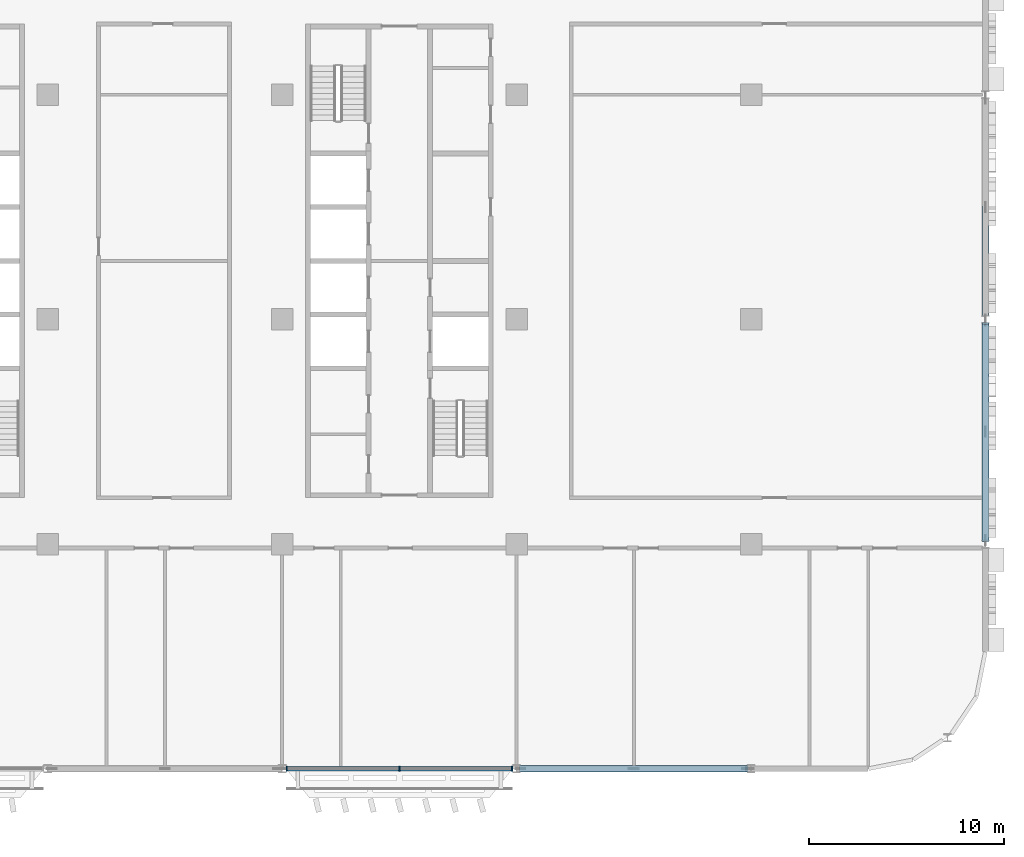
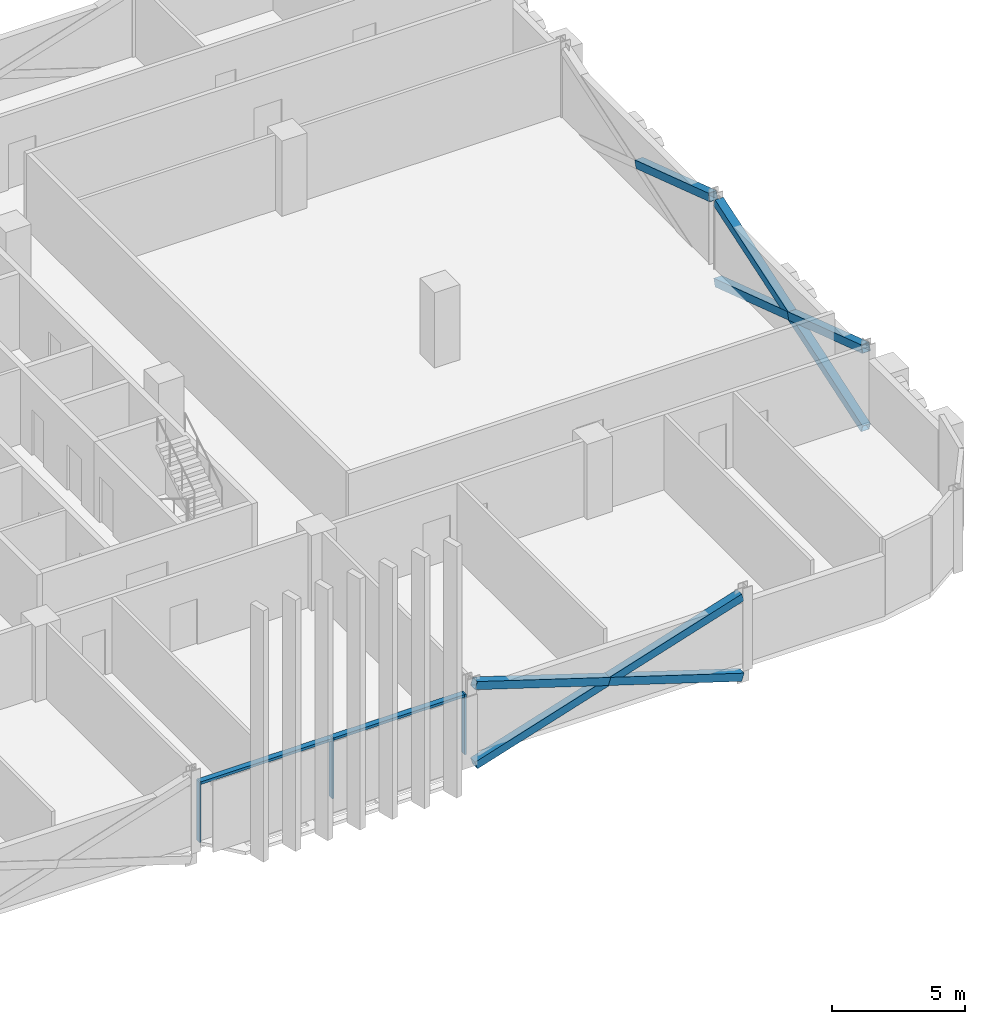
# One storey, part 6 of 28: 12 members, 1 element without a shape of its own.
"""IFC4 building model written with IfcOpenShell, lengths in metres."""

import ifcopenshell
import ifcopenshell.guid

model = None  # the IFC model being written
_history = None  # IfcOwnerHistory: only IFC2X3 demands one
_inside = {}  # id of a spatial element -> (the spatial element, [elements in it])
_under = {}  # id of a project, library or spatial element -> (it, [spatial elements below it])
_declared = {}  # id of a project -> (the project, [libraries it declares])
_typed = {}  # id of a type object -> (the type object, [elements of that type])
_made_of = {}  # id of a material, layer set ... -> (it, [elements and type objects made of it])


def new_model(schema):
    """Start an empty IFC model of exactly this schema.

    Asked for "IFC4X3", IfcOpenShell would pick the latest addendum, in which some entities
    have other attributes; the version numbers below select the first issue.
    IFC2X3 requires an IfcOwnerHistory on every rooted entity: one is made here for all.
    """
    global model, _history
    if schema == "IFC4X3":
        model = ifcopenshell.file(schema_version=(4, 3, 0, 0))
    else:
        model = ifcopenshell.file(schema=schema)
    _inside.clear()
    _under.clear()
    _declared.clear()
    _typed.clear()
    _made_of.clear()
    _history = None
    if model.schema == "IFC2X3":
        org = make("IfcOrganization", Name="unknown")
        user = make(
            "IfcPersonAndOrganization",
            ThePerson=make("IfcPerson", FamilyName="unknown"),
            TheOrganization=org,
        )
        app = make(
            "IfcApplication",
            ApplicationDeveloper=org,
            Version="unknown",
            ApplicationFullName="unknown",
            ApplicationIdentifier="unknown",
        )
        _history = make(
            "IfcOwnerHistory",
            OwningUser=user,
            OwningApplication=app,
            ChangeAction="ADDED",
            CreationDate=0,
        )
    return model


def make(cls, **values):
    """One entity of the class cls with the attributes given. An attribute that is None is left unset."""
    return model.create_entity(
        cls, **{name: value for name, value in values.items() if value is not None}
    )


def rooted(cls, **values):
    """An entity with a GlobalId (a new one), such as an element, a storey or a relation."""
    return make(cls, GlobalId=ifcopenshell.guid.new(), OwnerHistory=_history, **values)


def si_unit(unit_type, name, prefix=None):
    """IfcSIUnit, for example si_unit("LENGTHUNIT", "METRE", prefix="MILLI")."""
    return make("IfcSIUnit", UnitType=unit_type, Prefix=prefix, Name=name)


def assignment(units):
    """IfcUnitAssignment: the units of a project."""
    return None if units is None else make("IfcUnitAssignment", Units=units)


def point(xyz):
    """IfcCartesianPoint."""
    return None if xyz is None else make("IfcCartesianPoint", Coordinates=xyz)


def direction(xyz):
    """IfcDirection."""
    return None if xyz is None else make("IfcDirection", DirectionRatios=xyz)


def frame(location, z_axis=None, x_axis=None):
    """IfcAxis2Placement3D, a coordinate frame: its origin and axes. An axis left out is left unset."""
    return make(
        "IfcAxis2Placement3D",
        Location=point(location),
        Axis=direction(z_axis),
        RefDirection=direction(x_axis),
    )


def frame_2d(location, x_axis=None):
    """IfcAxis2Placement2D, a coordinate frame in the plane: its origin and x axis."""
    return make(
        "IfcAxis2Placement2D", Location=point(location), RefDirection=direction(x_axis)
    )


def origin():
    """The frame at (0, 0, 0) with its axes left unset."""
    return frame((0.0, 0.0, 0.0))


def origin_2d():
    """The frame at (0, 0) in the plane with its x axis left unset."""
    return frame_2d((0.0, 0.0))


def place(relative_to, where):
    """IfcLocalPlacement: puts the frame where relative to a parent placement (None: the world)."""
    return make(
        "IfcLocalPlacement", PlacementRelTo=relative_to, RelativePlacement=where
    )


def context(
    kind, dimensions, precision=None, world=None, true_north=None, identifier=None
):
    """IfcGeometricRepresentationContext, for example the 3D "Model" context."""
    return make(
        "IfcGeometricRepresentationContext",
        ContextIdentifier=identifier,
        ContextType=kind,
        CoordinateSpaceDimension=dimensions,
        Precision=precision,
        WorldCoordinateSystem=world,
        TrueNorth=true_north,
    )


def subcontext(parent, identifier, kind, view, scale=None):
    """IfcGeometricRepresentationSubContext, for example "Body" below "Model"."""
    return make(
        "IfcGeometricRepresentationSubContext",
        ContextIdentifier=identifier,
        ContextType=kind,
        ParentContext=parent,
        TargetScale=scale,
        TargetView=view,
    )


def project(units=None, contexts=None):
    """IfcProject with its units and contexts."""
    return rooted(
        "IfcProject",
        Name="project",
        RepresentationContexts=contexts,
        UnitsInContext=assignment(units),
    )


def spatial(cls, under=None, at=None, **own):
    """A site, building, storey or space (cls), placed at a placement, below another one or the project."""
    s = rooted(cls, ObjectPlacement=at, **own)
    if under is not None:
        _under.setdefault(under.id(), (under, []))[1].append(s)
    return s


def profile(cls, at=None, kind="AREA", **sizes):
    """A parametric profile (cls). Its sizes go by their IFC names, for example OverallWidth=200.0."""
    return make(cls, ProfileType=kind, Position=at, **sizes)


def rectangle(**sizes):
    """IfcRectangleProfileDef."""
    return profile("IfcRectangleProfileDef", **sizes)


def hollow_rectangle(**sizes):
    """IfcRectangleHollowProfileDef."""
    return profile("IfcRectangleHollowProfileDef", **sizes)


def extrude(swept, where, along, depth):
    """IfcExtrudedAreaSolid: the profile swept, set in the frame where, extruded along a direction by depth."""
    return make(
        "IfcExtrudedAreaSolid",
        SweptArea=swept,
        Position=where,
        ExtrudedDirection=direction(along),
        Depth=depth,
    )


def shape(context_of_items, identifier, shape_type, items):
    """IfcShapeRepresentation: the items that make up one representation, for example the "Body"."""
    return make(
        "IfcShapeRepresentation",
        ContextOfItems=context_of_items,
        RepresentationIdentifier=identifier,
        RepresentationType=shape_type,
        Items=items,
    )


def material(Name=None, Category=None):
    """IfcMaterial."""
    return make("IfcMaterial", Name=Name, Category=Category)


def material_profile(
    of_material, cross_section, Name=None, Category=None, Priority=None
):
    """IfcMaterialProfile: a cross section and its material."""
    return make(
        "IfcMaterialProfile",
        Name=Name,
        Material=of_material,
        Profile=cross_section,
        Priority=Priority,
        Category=Category,
    )


def profile_set(profiles, Name=None, composite=None):
    """IfcMaterialProfileSet."""
    return make(
        "IfcMaterialProfileSet",
        Name=Name,
        MaterialProfiles=profiles,
        CompositeProfile=composite,
    )


def made_of(thing, what):
    """Note that an element or type object is made of a material, layer set ...; save() writes the relation."""
    if what is not None:
        _made_of.setdefault(what.id(), (what, []))[1].append(thing)
    return thing


def type_object(cls, material=None, **own):
    """A type object (cls), such as IfcWallType, which elements share."""
    return made_of(rooted(cls, **own), material)


def element(
    cls,
    number,
    at=None,
    inside=None,
    cuts=None,
    type_object=None,
    material=None,
    context=None,
    identifier="Body",
    shape_type=None,
    held_by="IfcProductDefinitionShape",
    body=None,
    shapes=None,
    **own,
):
    """One element of the class cls, such as IfcWall. Its Tag is "e" and its number.

    at: its placement. inside: the storey or other place that contains it. cuts: it is an
    opening in that element (IfcRelVoidsElement). A single representation is given by context,
    identifier, shape_type and body (its items); several are given by shapes. held_by: the class
    of the entity that holds the representations. save() writes the other relations.
    """
    e = rooted(cls, Tag="e%d" % number, ObjectPlacement=at, **own)
    if body is not None:
        shapes = [shape(context, identifier, shape_type, body)]
    if shapes is not None:
        e.Representation = make(held_by, Representations=shapes)
    if inside is not None:
        _inside.setdefault(inside.id(), (inside, []))[1].append(e)
    if cuts is not None:
        rooted(
            "IfcRelVoidsElement", RelatingBuildingElement=cuts, RelatedOpeningElement=e
        )
    if type_object is not None:
        _typed.setdefault(type_object.id(), (type_object, []))[1].append(e)
    return made_of(e, material)


def aggregate(whole, parts):
    """IfcRelAggregates: a whole, such as a stair, and the parts it consists of."""
    return rooted("IfcRelAggregates", RelatingObject=whole, RelatedObjects=parts)


def save(model, path):
    """Write the relations noted so far, then the file.

    IfcRelAggregates (storeys below a building ...), IfcRelContainedInSpatialStructure (elements
    in a storey), IfcRelDefinesByType, IfcRelAssociatesMaterial and IfcRelDeclares: one each for
    every whole, place, type object, material and project.
    """
    for whole, parts in _under.values():
        aggregate(whole, parts)
    for where, things in _inside.values():
        rooted(
            "IfcRelContainedInSpatialStructure",
            RelatedElements=things,
            RelatingStructure=where,
        )
    for kind, things in _typed.values():
        rooted("IfcRelDefinesByType", RelatedObjects=things, RelatingType=kind)
    for what, things in _made_of.values():
        rooted("IfcRelAssociatesMaterial", RelatedObjects=things, RelatingMaterial=what)
    for by, libraries in _declared.values():
        rooted("IfcRelDeclares", RelatingContext=by, RelatedDefinitions=libraries)
    model.write(path)


model = new_model("IFC4")

# Units and contexts
model_context = context("Model", 3, precision=1e-05, world=origin(), true_north=direction((0.0, 1.0)))
body_context = subcontext(model_context, "Body", "Model", "MODEL_VIEW")
ifc_project = project(units=[si_unit("LENGTHUNIT", "METRE"), si_unit("AREAUNIT", "SQUARE_METRE"), si_unit("VOLUMEUNIT", "CUBIC_METRE"), si_unit("PLANEANGLEUNIT", "RADIAN"), si_unit("MASSUNIT", "GRAM", prefix="KILO")], contexts=[model_context])

# Site, building, storey
site_placement = place(None, origin())
site = spatial("IfcSite", under=ifc_project, at=site_placement, CompositionType="ELEMENT")
building_placement = place(site_placement, origin())
building = spatial("IfcBuilding", under=site, at=building_placement, Name="Mahtab Terrace Research Tower", CompositionType="ELEMENT")
storey_placement = place(building_placement, frame((0.0, 0.0, 193.89990234375)))
storey = spatial("IfcBuildingStorey", under=building, at=storey_placement, Name="L46", CompositionType="ELEMENT", Elevation=193.89990234375)

# Members
ifc_material_1 = material(Name="Steel ASTM A500 Gr C", Category="steel")
ifc_material_profile_1 = material_profile(ifc_material_1, hollow_rectangle(XDim=0.355712890625, YDim=0.355712890625, WallThickness=0.015869140625, at=origin_2d()), Name="HSS14X14X5/8")
ifc_profile_set_1 = profile_set([ifc_material_profile_1], Name="Steel ASTM A500 Gr C")
member_type_1 = type_object("IfcMemberType", Name="HSS 14x14x5/8 brace XB141458", PredefinedType="BRACE", material=ifc_profile_set_1)
member_1_placement = place(storey_placement, frame((30.20068359375, -23.0, -0.615478515625), z_axis=(0.953343380425, 0.0, 0.301888057067), x_axis=(0.0, 1.0, 0.0)))
element("IfcMember", 1, at=member_1_placement, inside=storey, type_object=member_type_1, Name="Exoskeleton brace L46 19 a", PredefinedType="BRACE", context=body_context, shape_type="SweptSolid", body=[
    extrude(hollow_rectangle(XDim=0.355712890625, YDim=0.355712890625, WallThickness=0.015869140625, at=origin_2d()), origin(), (0.0, 0.0, 1.0), 12.166259765625),
])
for number, where, z_axis, x_axis, name in (
    (2, (41.79931640625, -23.0, -0.615478515625), (-0.953343380425, 0.0, 0.301888057067), (0.0, -1.0, 0.0), "Exoskeleton brace L46 19 b1"),
    (3, (36.0, -23.0, 1.220947265625), (-0.953343380425, 0.0, 0.301888057067), (0.0, -1.0, 0.0), "Exoskeleton brace L46 19 b2"),
):
    element("IfcMember", number, at=place(storey_placement, frame(where, z_axis=z_axis, x_axis=x_axis)), inside=storey, type_object=member_type_1, Name=name, PredefinedType="BRACE", context=body_context, shape_type="SweptSolid", body=[
        extrude(hollow_rectangle(XDim=0.355712890625, YDim=0.355712890625, WallThickness=0.015869140625, at=origin_2d()), origin(), (0.0, 0.0, 1.0), 6.083251953125),
    ])
member_2_placement = place(storey_placement, frame((54.0, -11.300537109375, -0.613037109375), z_axis=(0.0, 0.949504910136, 0.313752172307), x_axis=(-1.0, 0.0, 0.0)))
element("IfcMember", 4, at=member_2_placement, inside=storey, type_object=member_type_1, Name="Exoskeleton brace L46 22 a", PredefinedType="BRACE", context=body_context, shape_type="SweptSolid", body=[
    extrude(hollow_rectangle(XDim=0.355712890625, YDim=0.355712890625, WallThickness=0.015869140625, at=origin_2d()), origin(), (0.0, 0.0, 1.0), 11.69140625),
])
for number, where, z_axis, x_axis, name in (
    (5, (54.0, -0.199462890625, -0.613037109375), (0.0, -0.949511130933, 0.313733345748), (1.0, 0.0, 0.0), "Exoskeleton brace L46 22 b1"),
    (6, (54.0, -5.75, 1.220947265625), (0.0, -0.949498689047, 0.313770998496), (1.0, 0.0, 0.0), "Exoskeleton brace L46 22 b2"),
    (7, (54.0, 5.75, 1.220947265625), (0.0, -0.949498689047, 0.313770998496), (1.0, 0.0, 0.0), "Exoskeleton brace L46 23 b2"),
):
    element("IfcMember", number, at=place(storey_placement, frame(where, z_axis=z_axis, x_axis=x_axis)), inside=storey, type_object=member_type_1, Name=name, PredefinedType="BRACE", context=body_context, shape_type="SweptSolid", body=[
        extrude(hollow_rectangle(XDim=0.355712890625, YDim=0.355712890625, WallThickness=0.015869140625, at=origin_2d()), origin(), (0.0, 0.0, 1.0), 5.845703125),
    ])

# Curtain wall, members
ifc_material_2 = material(Name="Sky lounge full-height curtain wall")
curtain_wall_type = type_object("IfcCurtainWallType", Name="Sky lounge full-height curtain wall", PredefinedType="NOTDEFINED", material=ifc_material_2)
curtain_wall_placement = place(storey_placement, origin())
curtain_wall = element("IfcCurtainWall", 8, at=curtain_wall_placement, inside=storey, type_object=curtain_wall_type, Name="EN.L46.13.28", PredefinedType="NOTDEFINED")
ifc_material_3 = material(Name="Natural anodised aluminium", Category="aluminium")
ifc_material_profile_2 = material_profile(ifc_material_3, rectangle(XDim=0.25, YDim=0.070068359375, at=origin_2d()), Name="MULLION 70x250")
ifc_profile_set_2 = profile_set([ifc_material_profile_2], Name="Natural anodised aluminium")
member_type_2 = type_object("IfcMemberType", Name="Sky lounge full-height curtain wall mullion", PredefinedType="MULLION", material=ifc_profile_set_2)
member_3_placement = place(storey_placement, frame((18.235107421875, -23.0, 0.0), z_axis=(0.0, 0.0, 1.0), x_axis=(0.0, 1.0, 0.0)))
member_3 = element("IfcMember", 9, at=member_3_placement, type_object=member_type_2, Name="CWS-6 mullion 1", PredefinedType="MULLION", context=body_context, shape_type="SweptSolid", body=[
    extrude(rectangle(XDim=0.25, YDim=0.070068359375, at=origin_2d()), origin(), (0.0, 0.0, 1.0), 2.781982421875),
])
member_4_placement = place(storey_placement, frame((24.0, -23.0, 0.0), z_axis=(0.0, 0.0, 1.0), x_axis=(0.0, 1.0, 0.0)))
member_4 = element("IfcMember", 10, at=member_4_placement, type_object=member_type_2, Name="CWS-6 mullion 2", PredefinedType="MULLION", context=body_context, shape_type="SweptSolid", body=[
    extrude(rectangle(XDim=0.25, YDim=0.070068359375, at=origin_2d()), origin(), (0.0, 0.0, 1.0), 2.781982421875),
])
member_5_placement = place(storey_placement, frame((29.764892578125, -23.0, 0.0), z_axis=(0.0, 0.0, 1.0), x_axis=(0.0, 1.0, 0.0)))
member_5 = element("IfcMember", 11, at=member_5_placement, type_object=member_type_2, Name="CWS-6 mullion 3", PredefinedType="MULLION", context=body_context, shape_type="SweptSolid", body=[
    extrude(rectangle(XDim=0.25, YDim=0.070068359375, at=origin_2d()), origin(), (0.0, 0.0, 1.0), 2.781982421875),
])
ifc_material_profile_3 = material_profile(ifc_material_3, rectangle(XDim=0.25, YDim=0.1201171875, at=origin_2d()), Name="TRANSOM 120x250")
ifc_profile_set_3 = profile_set([ifc_material_profile_3], Name="Natural anodised aluminium")
member_type_3 = type_object("IfcMemberType", Name="Sky lounge full-height curtain wall transom", PredefinedType="USERDEFINED", material=ifc_profile_set_3)
member_6_placement = place(storey_placement, frame((18.27001953125, -23.0, 2.721923828125), z_axis=(1.0, 0.0, 0.0), x_axis=(0.0, 1.0, 0.0)))
member_6 = element("IfcMember", 12, at=member_6_placement, type_object=member_type_3, Name="CWS-6 transom 1", ObjectType="TRANSOM", PredefinedType="USERDEFINED", context=body_context, shape_type="SweptSolid", body=[
    extrude(rectangle(XDim=0.25, YDim=0.1201171875, at=origin_2d()), origin(), (0.0, 0.0, 1.0), 5.695068359375),
])
member_7_placement = place(storey_placement, frame((24.034912109375, -23.0, 2.721923828125), z_axis=(1.0, 0.0, 0.0), x_axis=(0.0, 1.0, 0.0)))
member_7 = element("IfcMember", 13, at=member_7_placement, type_object=member_type_3, Name="CWS-6 transom 2", ObjectType="TRANSOM", PredefinedType="USERDEFINED", context=body_context, shape_type="SweptSolid", body=[
    extrude(rectangle(XDim=0.25, YDim=0.1201171875, at=origin_2d()), origin(), (0.0, 0.0, 1.0), 5.695068359375),
])
aggregate(curtain_wall, [member_3, member_4, member_5, member_6, member_7])

save(model, "model.ifc")
